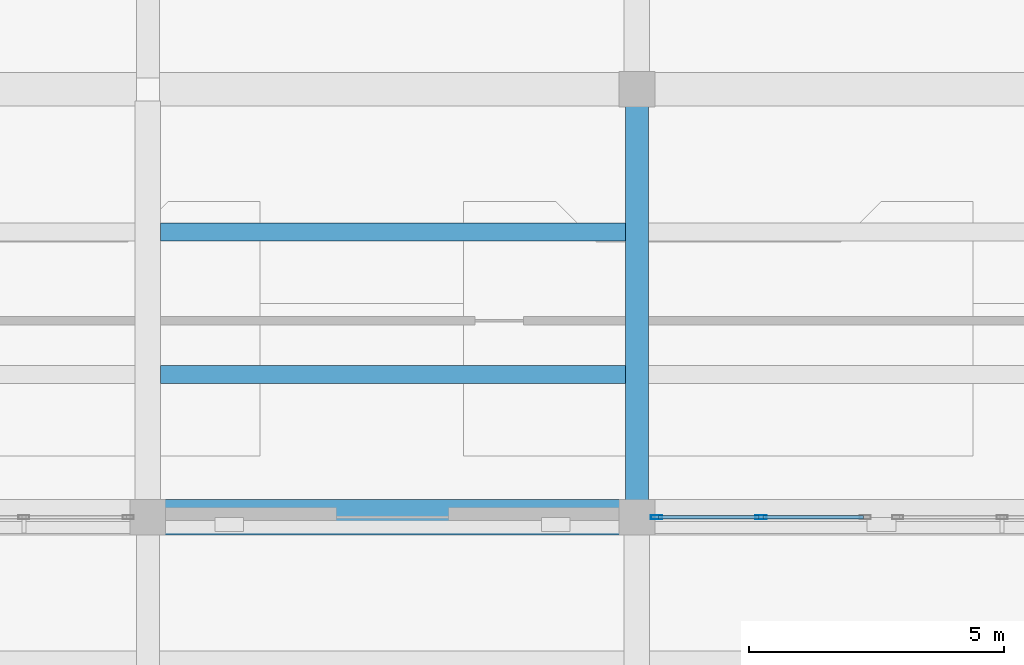
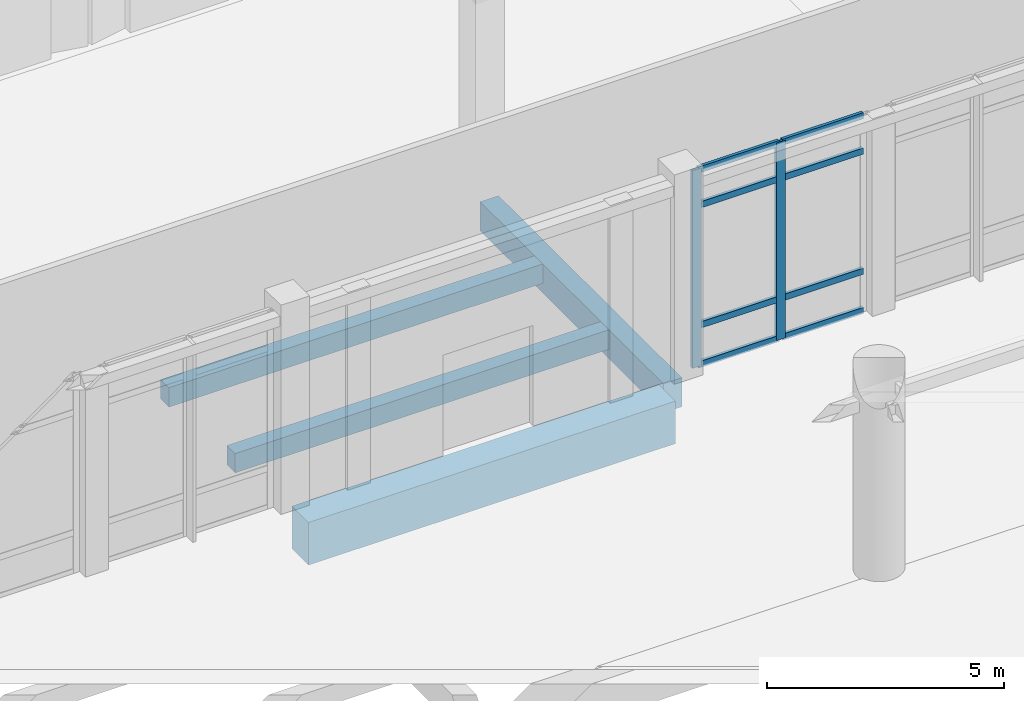
# One storey, part 23 of 71: 10 members, 4 beams, 1 element without a shape of its own.
"""IFC4 building model written with IfcOpenShell, lengths in metres."""

from ifc_helpers import new_model, si_unit, direction, frame, origin, origin_2d, place, context, subcontext, project, spatial, rectangle, hollow_rectangle, extrude, material, layer, layer_set, material_profile, profile_set, type_object, element, aggregate, save


model = new_model("IFC4")

# Units and contexts
model_context = context("Model", 3, precision=1e-05, world=origin(), true_north=direction((0.0, 1.0)))
body_context = subcontext(model_context, "Body", "Model", "MODEL_VIEW")
ifc_project = project(units=[si_unit("LENGTHUNIT", "METRE"), si_unit("AREAUNIT", "SQUARE_METRE"), si_unit("VOLUMEUNIT", "CUBIC_METRE"), si_unit("PLANEANGLEUNIT", "RADIAN"), si_unit("MASSUNIT", "GRAM", prefix="KILO")], contexts=[model_context])

# Site, building, storey
site_placement = place(None, origin())
site = spatial("IfcSite", under=ifc_project, at=site_placement, CompositionType="ELEMENT")
building_placement = place(site_placement, origin())
building = spatial("IfcBuilding", under=site, at=building_placement, Name="Lornevale Opera House", CompositionType="ELEMENT")
storey_placement = place(building_placement, origin())
storey = spatial("IfcBuildingStorey", under=building, at=storey_placement, Name="L01", CompositionType="ELEMENT", Elevation=0.0)

# Beams
ifc_material_1 = material(Name="Concrete 35 MPa (CSA A23.1 N)", Category="concrete")
ifc_material_profile_1 = material_profile(ifc_material_1, rectangle(XDim=0.449951171875, YDim=0.75, at=origin_2d()), Name="RC450x750")
ifc_profile_set_1 = profile_set([ifc_material_profile_1], Name="Concrete 35 MPa (CSA A23.1 N)")
beam_type_1 = type_object("IfcBeamType", Name="Concrete Floor Beam 450x750", PredefinedType="USERDEFINED", material=ifc_profile_set_1)
beam_1_placement = place(storey_placement, frame((86.39990234375, 17.125, -0.81494140625), z_axis=(0.0, 1.0, 0.0), x_axis=(-1.0, 0.0, 0.0)))
element("IfcBeam", 1, at=beam_1_placement, inside=storey, type_object=beam_type_1, Name="Concrete Floor Beam 450x750 1188", ObjectType="GIRDER", PredefinedType="USERDEFINED", context=body_context, shape_type="SweptSolid", body=[
    extrude(rectangle(XDim=0.449951171875, YDim=0.75, at=origin_2d()), origin(), (0.0, 0.0, 1.0), 7.75),
])
ifc_material_2 = material(Name="Concrete 40 MPa (CSA A23.1 C-1)", Category="concrete")
ifc_material_profile_2 = material_profile(ifc_material_2, rectangle(XDim=0.699951171875, YDim=1.10009765625, at=origin_2d()), Name="RC700x1100")
ifc_profile_set_2 = profile_set([ifc_material_profile_2], Name="Concrete 40 MPa (CSA A23.1 C-1)")
beam_type_2 = type_object("IfcBeamType", Name="Concrete Primary Girder 700x1100", PredefinedType="USERDEFINED", material=ifc_profile_set_2)
beam_2_placement = place(storey_placement, frame((77.125, 16.800048828125, -0.989990234375), z_axis=(1.0, 0.0, 0.0), x_axis=(0.0, 1.0, 0.0)))
element("IfcBeam", 2, at=beam_2_placement, inside=storey, type_object=beam_type_2, Name="Concrete Primary Girder 700x1100 0880", ObjectType="GIRDER", PredefinedType="USERDEFINED", context=body_context, shape_type="SweptSolid", body=[
    extrude(rectangle(XDim=0.699951171875, YDim=1.10009765625, at=origin_2d()), origin(), (0.0, 0.0, 1.0), 8.949951171875),
])
ifc_material_profile_3 = material_profile(ifc_material_1, rectangle(XDim=0.35009765625, YDim=0.5, at=origin_2d()), Name="RC350x500")
ifc_profile_set_3 = profile_set([ifc_material_profile_3], Name="Concrete 35 MPa (CSA A23.1 N)")
beam_type_3 = type_object("IfcBeamType", Name="Concrete Secondary Rib 350x500", PredefinedType="JOIST", material=ifc_profile_set_3)
for number, where, z_axis, x_axis, name in (
    (3, (77.050048828125, 19.60009765625, -0.68994140625), (1.0, 0.0, 0.0), (0.0, 1.0, 0.0), "Concrete Secondary Rib 350x500 1491"),
    (4, (77.050048828125, 22.39990234375, -0.68994140625), (1.0, 0.0, 0.0), (0.0, 1.0, 0.0), "Concrete Secondary Rib 350x500 1492"),
):
    element("IfcBeam", number, at=place(storey_placement, frame(where, z_axis=z_axis, x_axis=x_axis)), inside=storey, type_object=beam_type_3, Name=name, PredefinedType="JOIST", context=body_context, shape_type="SweptSolid", body=[
        extrude(rectangle(XDim=0.35009765625, YDim=0.5, at=origin_2d()), origin(), (0.0, 0.0, 1.0), 9.125),
    ])

# Curtain wall, members
ifc_material_3 = material(Name="Anodized Oxide-Green Aluminium Framing", Category="aluminium")
ifc_layer = layer(ifc_material_3, 0.215087890625)
ifc_layer_set = layer_set([ifc_layer], Name="Anodized Oxide-Green Aluminium Framing")
curtain_wall_type = type_object("IfcCurtainWallType", Name="Grand Foyer Curtain Wall M2000", PredefinedType="NOTDEFINED", material=ifc_layer_set)
curtain_wall_placement = place(storey_placement, origin())
curtain_wall = element("IfcCurtainWall", 5, at=curtain_wall_placement, inside=storey, type_object=curtain_wall_type, Name="Grand Foyer Curtain Wall M2000 CW-016", PredefinedType="NOTDEFINED")
ifc_material_profile_4 = material_profile(ifc_material_3, hollow_rectangle(XDim=0.074951171875, YDim=0.219970703125, WallThickness=0.0048828125, at=origin_2d()), Name="ALU75x220x5")
ifc_profile_set_4 = profile_set([ifc_material_profile_4], Name="Anodized Oxide-Green Aluminium Framing")
member_type_1 = type_object("IfcMemberType", Name="Curtain Wall Mullion 75x220", PredefinedType="MULLION", material=ifc_profile_set_4)
member_1_placement = place(storey_placement, frame((88.8330078125, 16.800048828125, 0.0), z_axis=(0.0, 0.0, 1.0), x_axis=(0.0, -1.0, 0.0)))
member_1 = element("IfcMember", 6, at=member_1_placement, type_object=member_type_1, Name="Curtain Wall Mullion 75x220 CW0257", PredefinedType="MULLION", context=body_context, shape_type="SweptSolid", body=[
    extrude(hollow_rectangle(XDim=0.074951171875, YDim=0.219970703125, WallThickness=0.0048828125, at=origin_2d()), origin(), (0.0, 0.0, 1.0), 5.10009765625),
])
member_2_placement = place(storey_placement, frame((86.783447265625, 16.800048828125, 0.0), z_axis=(0.0, 0.0, 1.0), x_axis=(0.0, -1.0, 0.0)))
member_2 = element("IfcMember", 7, at=member_2_placement, type_object=member_type_1, Name="Curtain Wall Mullion 75x220 CW0258", PredefinedType="MULLION", context=body_context, shape_type="SweptSolid", body=[
    extrude(hollow_rectangle(XDim=0.074951171875, YDim=0.219970703125, WallThickness=0.0048828125, at=origin_2d()), origin(), (0.0, 0.0, 1.0), 5.10009765625),
])
ifc_material_profile_5 = material_profile(ifc_material_3, hollow_rectangle(XDim=0.074951171875, YDim=0.159912109375, WallThickness=0.0048828125, at=origin_2d()), Name="ALU75x160x5")
ifc_profile_set_5 = profile_set([ifc_material_profile_5], Name="Anodized Oxide-Green Aluminium Framing")
member_type_2 = type_object("IfcMemberType", Name="Curtain Wall Transom 75x160", PredefinedType="USERDEFINED", material=ifc_profile_set_5)
member_3_placement = place(storey_placement, frame((90.844970703125, 16.800048828125, 0.03759765625), z_axis=(-1.0, 0.0, 0.0), x_axis=(0.0, -1.0, 0.0)))
member_3 = element("IfcMember", 8, at=member_3_placement, type_object=member_type_2, Name="Curtain Wall Transom 75x160 CW0259", ObjectType="TRANSOM", PredefinedType="USERDEFINED", context=body_context, shape_type="SweptSolid", body=[
    extrude(hollow_rectangle(XDim=0.074951171875, YDim=0.159912109375, WallThickness=0.0048828125, at=origin_2d()), origin(), (0.0, 0.0, 1.0), 1.974365234375),
])
member_4_placement = place(storey_placement, frame((90.844970703125, 16.800048828125, 1.050048828125), z_axis=(-1.0, 0.0, 0.0), x_axis=(0.0, -1.0, 0.0)))
member_4 = element("IfcMember", 9, at=member_4_placement, type_object=member_type_2, Name="Curtain Wall Transom 75x160 CW0260", ObjectType="TRANSOM", PredefinedType="USERDEFINED", context=body_context, shape_type="SweptSolid", body=[
    extrude(hollow_rectangle(XDim=0.074951171875, YDim=0.159912109375, WallThickness=0.0048828125, at=origin_2d()), origin(), (0.0, 0.0, 1.0), 1.974365234375),
])
member_5_placement = place(storey_placement, frame((90.844970703125, 16.800048828125, 4.14990234375), z_axis=(-1.0, 0.0, 0.0), x_axis=(0.0, -1.0, 0.0)))
member_5 = element("IfcMember", 10, at=member_5_placement, type_object=member_type_2, Name="Curtain Wall Transom 75x160 CW0261", ObjectType="TRANSOM", PredefinedType="USERDEFINED", context=body_context, shape_type="SweptSolid", body=[
    extrude(hollow_rectangle(XDim=0.074951171875, YDim=0.159912109375, WallThickness=0.0048828125, at=origin_2d()), origin(), (0.0, 0.0, 1.0), 1.974365234375),
])
member_6_placement = place(storey_placement, frame((90.844970703125, 16.800048828125, 5.0625), z_axis=(-1.0, 0.0, 0.0), x_axis=(0.0, -1.0, 0.0)))
member_6 = element("IfcMember", 11, at=member_6_placement, type_object=member_type_2, Name="Curtain Wall Transom 75x160 CW0262", ObjectType="TRANSOM", PredefinedType="USERDEFINED", context=body_context, shape_type="SweptSolid", body=[
    extrude(hollow_rectangle(XDim=0.074951171875, YDim=0.159912109375, WallThickness=0.0048828125, at=origin_2d()), origin(), (0.0, 0.0, 1.0), 1.974365234375),
])
member_7_placement = place(storey_placement, frame((88.79541015625, 16.800048828125, 0.03759765625), z_axis=(-1.0, 0.0, 0.0), x_axis=(0.0, -1.0, 0.0)))
member_7 = element("IfcMember", 12, at=member_7_placement, type_object=member_type_2, Name="Curtain Wall Transom 75x160 CW0266", ObjectType="TRANSOM", PredefinedType="USERDEFINED", context=body_context, shape_type="SweptSolid", body=[
    extrude(hollow_rectangle(XDim=0.074951171875, YDim=0.159912109375, WallThickness=0.0048828125, at=origin_2d()), origin(), (0.0, 0.0, 1.0), 1.974365234375),
])
member_8_placement = place(storey_placement, frame((88.79541015625, 16.800048828125, 1.050048828125), z_axis=(-1.0, 0.0, 0.0), x_axis=(0.0, -1.0, 0.0)))
member_8 = element("IfcMember", 13, at=member_8_placement, type_object=member_type_2, Name="Curtain Wall Transom 75x160 CW0267", ObjectType="TRANSOM", PredefinedType="USERDEFINED", context=body_context, shape_type="SweptSolid", body=[
    extrude(hollow_rectangle(XDim=0.074951171875, YDim=0.159912109375, WallThickness=0.0048828125, at=origin_2d()), origin(), (0.0, 0.0, 1.0), 1.974365234375),
])
member_9_placement = place(storey_placement, frame((88.79541015625, 16.800048828125, 4.14990234375), z_axis=(-1.0, 0.0, 0.0), x_axis=(0.0, -1.0, 0.0)))
member_9 = element("IfcMember", 14, at=member_9_placement, type_object=member_type_2, Name="Curtain Wall Transom 75x160 CW0268", ObjectType="TRANSOM", PredefinedType="USERDEFINED", context=body_context, shape_type="SweptSolid", body=[
    extrude(hollow_rectangle(XDim=0.074951171875, YDim=0.159912109375, WallThickness=0.0048828125, at=origin_2d()), origin(), (0.0, 0.0, 1.0), 1.974365234375),
])
member_10_placement = place(storey_placement, frame((88.79541015625, 16.800048828125, 5.0625), z_axis=(-1.0, 0.0, 0.0), x_axis=(0.0, -1.0, 0.0)))
member_10 = element("IfcMember", 15, at=member_10_placement, type_object=member_type_2, Name="Curtain Wall Transom 75x160 CW0269", ObjectType="TRANSOM", PredefinedType="USERDEFINED", context=body_context, shape_type="SweptSolid", body=[
    extrude(hollow_rectangle(XDim=0.074951171875, YDim=0.159912109375, WallThickness=0.0048828125, at=origin_2d()), origin(), (0.0, 0.0, 1.0), 1.974365234375),
])
aggregate(curtain_wall, [member_1, member_2, member_3, member_4, member_5, member_6, member_7, member_8, member_9, member_10])

save(model, "model.ifc")
